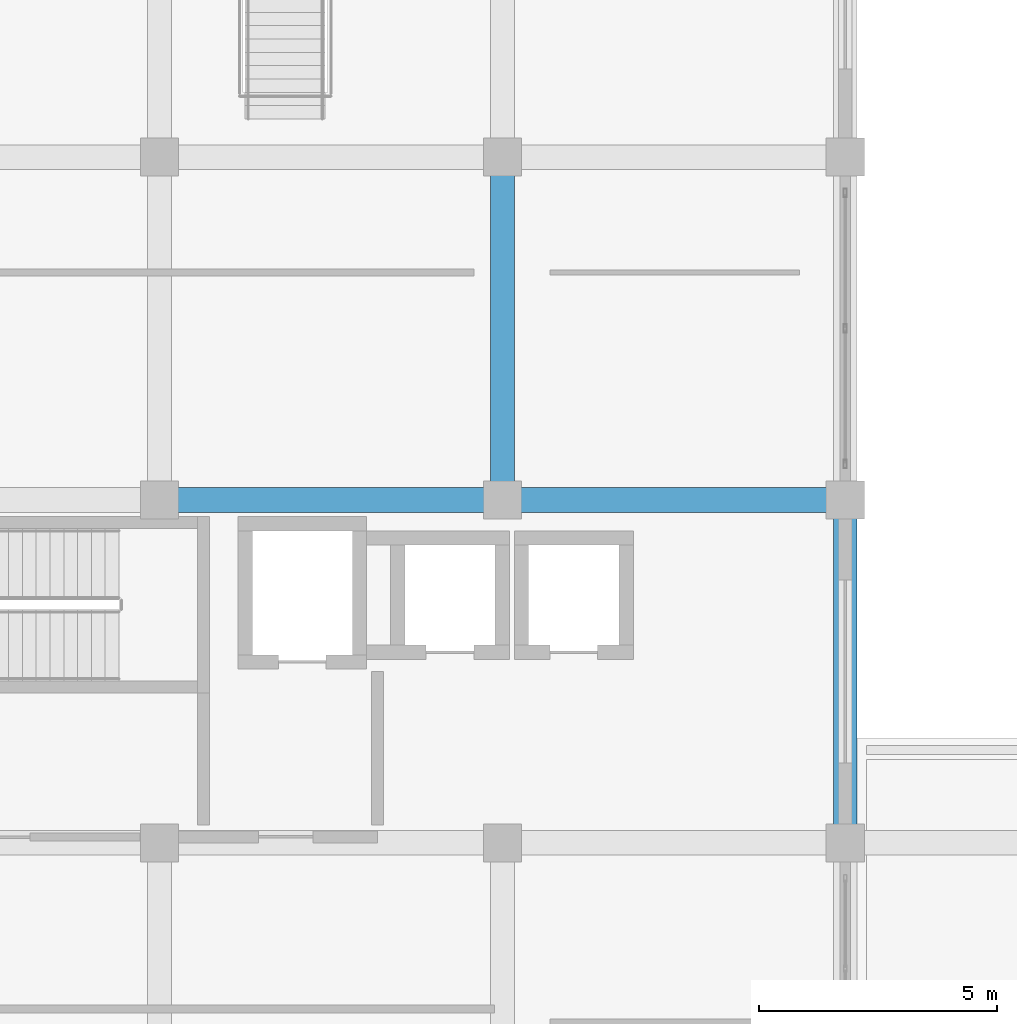
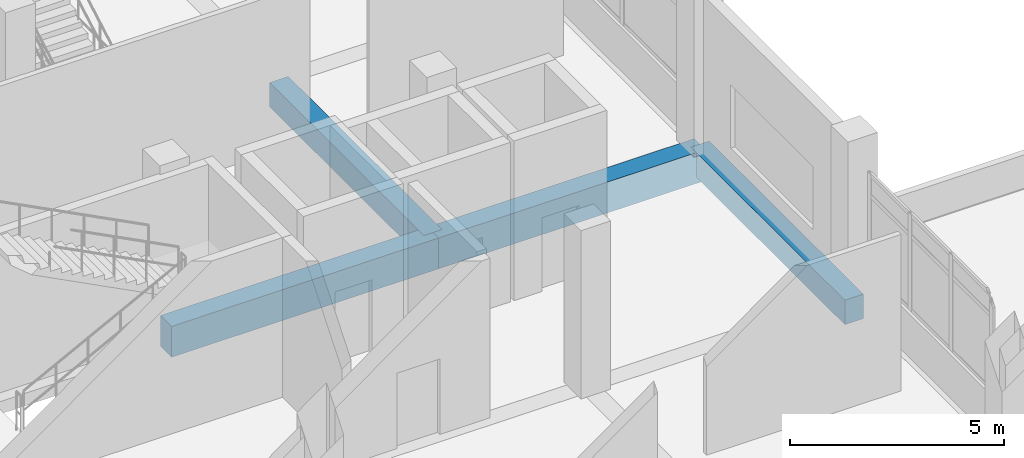
# One storey, part 49 of 140: 4 beams.
"""IFC4 building model written with IfcOpenShell, lengths in metres."""

from ifc_helpers import new_model, si_unit, direction, frame, origin, origin_2d, place, context, subcontext, project, spatial, rectangle, extrude, material, material_profile, profile_set, type_object, element, save


model = new_model("IFC4")

# Units and contexts
model_context = context("Model", 3, precision=1e-05, world=origin(), true_north=direction((0.0, 1.0)))
body_context = subcontext(model_context, "Body", "Model", "MODEL_VIEW")
ifc_project = project(units=[si_unit("LENGTHUNIT", "METRE"), si_unit("AREAUNIT", "SQUARE_METRE"), si_unit("VOLUMEUNIT", "CUBIC_METRE"), si_unit("PLANEANGLEUNIT", "RADIAN"), si_unit("MASSUNIT", "GRAM", prefix="KILO")], contexts=[model_context])

# Site, building, storey
site_placement = place(None, origin())
site = spatial("IfcSite", under=ifc_project, at=site_placement, CompositionType="ELEMENT")
building_placement = place(site_placement, origin())
building = spatial("IfcBuilding", under=site, at=building_placement, Name="Seraya Terrace Polytechnic", CompositionType="ELEMENT")
storey_placement = place(building_placement, frame((0.0, 0.0, 9.60009765625)))
storey = spatial("IfcBuildingStorey", under=building, at=storey_placement, Name="L02", CompositionType="ELEMENT", Elevation=9.60009765625)

# Beams
ifc_material = material(Name="Concrete C40/50", Category="concrete")
ifc_material_profile_1 = material_profile(ifc_material, rectangle(XDim=0.52001953125, YDim=0.8798828125, at=origin_2d()), Name="RC 520x880")
ifc_profile_set_1 = profile_set([ifc_material_profile_1], Name="Concrete C40/50")
beam_type_1 = type_object("IfcBeamType", Name="BM-04", PredefinedType="BEAM", material=ifc_profile_set_1)
for number, where, z_axis, x_axis, name in (
    (1, (93.60009765625, 43.199951171875, -0.440185546875), (1.0, 0.0, 0.0), (0.0, 1.0, 0.0), "Beam BM-04 L02 X (93.6..100.8, 43.2)"),
    (2, (100.800048828125, 43.199951171875, -0.440185546875), (1.0, 0.0, 0.0), (0.0, 1.0, 0.0), "Beam BM-04 L02 X (100.8..108.0, 43.2)"),
):
    element("IfcBeam", number, at=place(storey_placement, frame(where, z_axis=z_axis, x_axis=x_axis)), inside=storey, type_object=beam_type_1, Name=name, PredefinedType="BEAM", context=body_context, shape_type="SweptSolid", body=[
        extrude(rectangle(XDim=0.52001953125, YDim=0.8798828125, at=origin_2d()), origin(), (0.0, 0.0, 1.0), 7.199951171875),
    ])
ifc_material_profile_2 = material_profile(ifc_material, rectangle(XDim=0.5, YDim=0.699951171875, at=origin_2d()), Name="RC 500x700")
ifc_profile_set_2 = profile_set([ifc_material_profile_2], Name="Concrete C40/50")
beam_type_2 = type_object("IfcBeamType", Name="BM-07", PredefinedType="BEAM", material=ifc_profile_set_2)
for number, where, z_axis, x_axis, name in (
    (3, (100.800048828125, 43.199951171875, -0.35009765625), (0.0, 1.0, 0.0), (-1.0, 0.0, 0.0), "Beam BM-07 L02 Y (100.8, 43.2..50.4)"),
    (4, (108.0, 36.0, -0.35009765625), (0.0, 1.0, 0.0), (-1.0, 0.0, 0.0), "Beam BM-07 L02 Y (108.0, 36.0..43.2)"),
):
    element("IfcBeam", number, at=place(storey_placement, frame(where, z_axis=z_axis, x_axis=x_axis)), inside=storey, type_object=beam_type_2, Name=name, PredefinedType="BEAM", context=body_context, shape_type="SweptSolid", body=[
        extrude(rectangle(XDim=0.5, YDim=0.699951171875, at=origin_2d()), origin(), (0.0, 0.0, 1.0), 7.199951171875),
    ])

save(model, "model.ifc")
